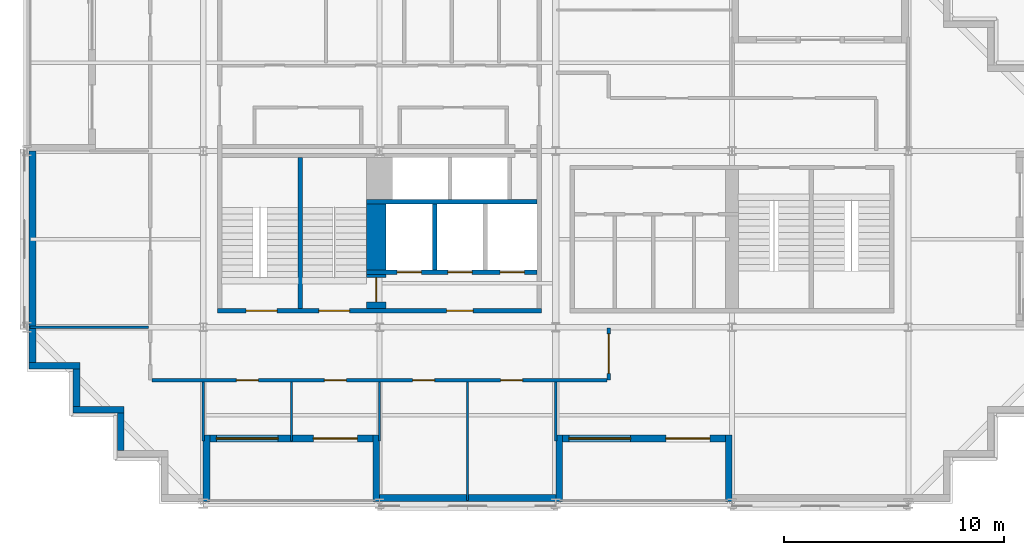
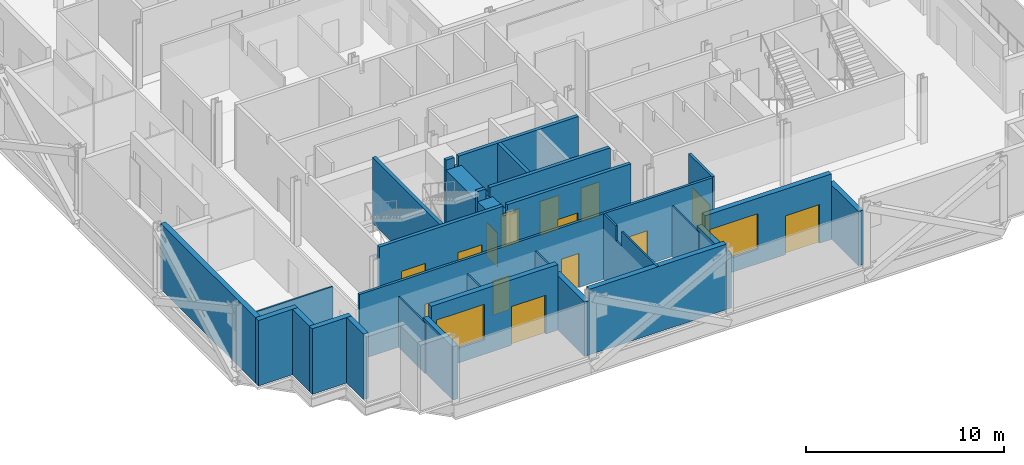
# One storey, part 4 of 12: 27 walls, 14 doors, 2 windows, 16 openings.
"""IFC4 building model written with IfcOpenShell, lengths in metres."""

from ifc_helpers import new_model, si_unit, direction, frame, frame_2d, origin, place, context, subcontext, project, spatial, polyline, rectangle, outline, extrude, material, layer, layer_set, type_object, element, fill, save


model = new_model("IFC4")

# Units and contexts
model_context = context("Model", 3, precision=1e-05, world=origin(), true_north=direction((0.0, 1.0)))
body_context = subcontext(model_context, "Body", "Model", "MODEL_VIEW")
ifc_project = project(units=[si_unit("LENGTHUNIT", "METRE"), si_unit("AREAUNIT", "SQUARE_METRE"), si_unit("VOLUMEUNIT", "CUBIC_METRE"), si_unit("PLANEANGLEUNIT", "RADIAN"), si_unit("MASSUNIT", "GRAM", prefix="KILO")], contexts=[model_context])

# Site, building, storey
site_placement = place(None, origin())
site = spatial("IfcSite", under=ifc_project, at=site_placement, CompositionType="ELEMENT")
building_placement = place(site_placement, origin())
building = spatial("IfcBuilding", under=site, at=building_placement, Name="Immortelle Media Tower", CompositionType="ELEMENT")
storey_placement = place(building_placement, frame((0.0, 0.0, 120.0)))
storey = spatial("IfcBuildingStorey", under=building, at=storey_placement, Name="L23", CompositionType="ELEMENT", Elevation=120.0)

# Wall, openings, doors
ifc_material_1 = material(Name="Fire-rated gypsum board", Category="gypsum")
ifc_layer_1 = layer(ifc_material_1, 0.03759765625)
ifc_material_2 = material(Name="Steel ASTM A653 SS Gr 50 stud frame with mineral wool", Category="steel")
ifc_layer_2 = layer(ifc_material_2, 0.125)
ifc_layer_3 = layer(ifc_material_1, 0.03759765625)
ifc_layer_set_1 = layer_set([ifc_layer_1, ifc_layer_2, ifc_layer_3], Name="Steel ASTM A653 SS Gr 50 stud frame with mineral wool")
wall_type_1 = type_object("IfcWallType", Name="Core shaft wall 200", PredefinedType="PARTITIONING", material=ifc_layer_set_1)
wall_1_placement = place(storey_placement, frame((15.39990234375, 10.5, 0.0), z_axis=(0.0, 0.0, 1.0), x_axis=(1.0, 0.0, 0.0)))
wall_1 = element("IfcWall", 1, at=wall_1_placement, inside=storey, type_object=wall_type_1, Name="Core shaft wall SW", PredefinedType="PARTITIONING", context=body_context, shape_type="SweptSolid", body=[
    extrude(outline(polyline([(0.0, 0.0), (7.75, 0.0), (7.75, 4.050048828125), (0.719482421875, 4.050048828125), (0.718505859375, 3.431884765625), (0.4814453125, 3.431884765625), (0.48046875, 4.050048828125), (0.0, 4.050048828125), (0.0, 0.0)])), frame((0.0, 0.10009765625, 0.0), z_axis=(0.0, -1.0, 0.0), x_axis=(1.0, 0.0, 0.0)), (0.0, 0.0, 1.0), 0.199951171875),
])
opening_1_placement = place(wall_1_placement, frame((1.39990234375, 0.0, 0.0)))
opening_1 = element("IfcOpeningElement", 2, at=opening_1_placement, cuts=wall_1, Name="Opening LD", PredefinedType="OPENING", context=body_context, shape_type="SweptSolid", body=[
    extrude(rectangle(XDim=1.10009765625, YDim=2.10009765625, at=frame_2d((0.550048828125, 1.050048828125))), frame((0.0, 0.10986328125, 0.0), z_axis=(0.0, -1.0, 0.0), x_axis=(1.0, 0.0, 0.0)), (0.0, 0.0, 1.0), 0.219970703125),
])
opening_2_placement = place(wall_1_placement, frame((3.699951171875, 0.0, 0.0)))
opening_2 = element("IfcOpeningElement", 3, at=opening_2_placement, cuts=wall_1, Name="Opening LD", PredefinedType="OPENING", context=body_context, shape_type="SweptSolid", body=[
    extrude(rectangle(XDim=1.10009765625, YDim=2.10009765625, at=frame_2d((0.550048828125, 1.050048828125))), frame((0.0, 0.10986328125, 0.0), z_axis=(0.0, -1.0, 0.0), x_axis=(1.0, 0.0, 0.0)), (0.0, 0.0, 1.0), 0.219970703125),
])
opening_3_placement = place(wall_1_placement, frame((6.074951171875, 0.0, 0.0)))
opening_3 = element("IfcOpeningElement", 4, at=opening_3_placement, cuts=wall_1, Name="Opening LD", PredefinedType="OPENING", context=body_context, shape_type="SweptSolid", body=[
    extrude(rectangle(XDim=1.10009765625, YDim=2.10009765625, at=frame_2d((0.550048828125, 1.050048828125))), frame((0.0, 0.10986328125, 0.0), z_axis=(0.0, -1.0, 0.0), x_axis=(1.0, 0.0, 0.0)), (0.0, 0.0, 1.0), 0.219970703125),
])
ifc_material_3 = material(Name="Stainless steel AISI 304", Category="steel")
door_type_1 = type_object("IfcDoorType", Name="Landing door 1100 x 2100", OperationType="SLIDING_TO_LEFT", PredefinedType="NOTDEFINED", material=ifc_material_3)
door_1_placement = place(opening_1_placement, origin())
door_1 = element("IfcDoor", 5, at=door_1_placement, inside=storey, type_object=door_type_1, Name="Landing door FF1 L23", OperationType="SLIDING_TO_LEFT", OverallHeight=2.10009765625, OverallWidth=1.10009765625, PredefinedType="NOTDEFINED", context=body_context, shape_type="SweptSolid", body=[
    extrude(rectangle(XDim=1.10009765625, YDim=2.10009765625, at=frame_2d((0.550048828125, 1.050048828125))), frame((0.0, 0.02490234375, 0.0), z_axis=(0.0, -1.0, 0.0), x_axis=(1.0, 0.0, 0.0)), (0.0, 0.0, 1.0), 0.050048828125),
])
fill(opening_1, door_1)
door_2_placement = place(opening_2_placement, origin())
door_2 = element("IfcDoor", 6, at=door_2_placement, inside=storey, type_object=door_type_1, Name="Landing door FF2 L23", OperationType="SLIDING_TO_LEFT", OverallHeight=2.10009765625, OverallWidth=1.10009765625, PredefinedType="NOTDEFINED", context=body_context, shape_type="SweptSolid", body=[
    extrude(rectangle(XDim=1.10009765625, YDim=2.10009765625, at=frame_2d((0.550048828125, 1.050048828125))), frame((0.0, 0.02490234375, 0.0), z_axis=(0.0, -1.0, 0.0), x_axis=(1.0, 0.0, 0.0)), (0.0, 0.0, 1.0), 0.050048828125),
])
fill(opening_2, door_2)
door_3_placement = place(opening_3_placement, origin())
door_3 = element("IfcDoor", 7, at=door_3_placement, inside=storey, type_object=door_type_1, Name="Landing door FF3 L23", OperationType="SLIDING_TO_LEFT", OverallHeight=2.10009765625, OverallWidth=1.10009765625, PredefinedType="NOTDEFINED", context=body_context, shape_type="SweptSolid", body=[
    extrude(rectangle(XDim=1.10009765625, YDim=2.10009765625, at=frame_2d((0.550048828125, 1.050048828125))), frame((0.0, 0.02490234375, 0.0), z_axis=(0.0, -1.0, 0.0), x_axis=(1.0, 0.0, 0.0)), (0.0, 0.0, 1.0), 0.050048828125),
])
fill(opening_3, door_3)

# Walls
wall_2_placement = place(storey_placement, frame((15.39990234375, 13.699951171875, 0.0), z_axis=(0.0, 0.0, 1.0), x_axis=(1.0, 0.0, 0.0)))
element("IfcWall", 8, at=wall_2_placement, inside=storey, type_object=wall_type_1, Name="Core shaft wall SW", PredefinedType="PARTITIONING", context=body_context, shape_type="SweptSolid", body=[
    extrude(outline(polyline([(0.0, 0.0), (7.75, 0.0), (7.75, 4.050048828125), (0.719482421875, 4.050048828125), (0.718505859375, 3.431884765625), (0.4814453125, 3.431884765625), (0.48046875, 4.050048828125), (0.0, 4.050048828125), (0.0, 0.0)])), frame((0.0, 0.10009765625, 0.0), z_axis=(0.0, -1.0, 0.0), x_axis=(1.0, 0.0, 0.0)), (0.0, 0.0, 1.0), 0.199951171875),
])
wall_3_placement = place(storey_placement, frame((18.5, 10.60009765625, 0.0), z_axis=(0.0, 0.0, 1.0), x_axis=(0.0, 1.0, 0.0)))
element("IfcWall", 9, at=wall_3_placement, inside=storey, type_object=wall_type_1, Name="Core shaft wall SW", PredefinedType="PARTITIONING", context=body_context, shape_type="SweptSolid", body=[
    extrude(rectangle(XDim=3.0, YDim=0.199951171875, at=frame_2d((1.5, 0.0))), origin(), (0.0, 0.0, 1.0), 4.050048828125),
])

# Wall, openings, doors
ifc_layer_4 = layer(ifc_material_1, 0.012451171875)
ifc_layer_5 = layer(ifc_material_2, 0.125)
ifc_layer_6 = layer(ifc_material_1, 0.012451171875)
ifc_layer_set_2 = layer_set([ifc_layer_4, ifc_layer_5, ifc_layer_6], Name="Steel ASTM A653 SS Gr 50 stud frame with mineral wool")
wall_type_2 = type_object("IfcWallType", Name="Corridor wall 150", PredefinedType="PARTITIONING", material=ifc_layer_set_2)
wall_4_placement = place(storey_placement, frame((5.675048828125, 5.60009765625, 0.0), z_axis=(0.0, 0.0, 1.0), x_axis=(1.0, 0.0, 0.0)))
wall_4 = element("IfcWall", 10, at=wall_4_placement, inside=storey, type_object=wall_type_2, Name="Partition L23-006", PredefinedType="PARTITIONING", context=body_context, shape_type="SweptSolid", body=[
    extrude(rectangle(XDim=20.64990234375, YDim=0.14990234375, at=frame_2d((10.324951171875, 0.0))), origin(), (0.0, 0.0, 1.0), 4.050048828125),
])
opening_4_placement = place(wall_4_placement, frame((12.824951171875, 0.0, 0.0), z_axis=(0.0, 0.0, 1.0), x_axis=(-1.0, 0.0, 0.0)))
opening_4 = element("IfcOpeningElement", 11, at=opening_4_placement, cuts=wall_4, Name="Opening C1-F001", PredefinedType="OPENING", context=body_context, shape_type="SweptSolid", body=[
    extrude(rectangle(XDim=1.0, YDim=2.10009765625, at=frame_2d((0.5, 1.050048828125))), frame((0.0, 0.0849609375, 0.0), z_axis=(0.0, -1.0, 0.0), x_axis=(1.0, 0.0, 0.0)), (0.0, 0.0, 1.0), 0.169921875),
])
opening_5_placement = place(wall_4_placement, frame((16.824951171875, 0.0, 0.0), z_axis=(0.0, 0.0, 1.0), x_axis=(-1.0, 0.0, 0.0)))
opening_5 = element("IfcOpeningElement", 12, at=opening_5_placement, cuts=wall_4, Name="Opening C1-F002", PredefinedType="OPENING", context=body_context, shape_type="SweptSolid", body=[
    extrude(rectangle(XDim=1.0, YDim=2.10009765625, at=frame_2d((0.5, 1.050048828125))), frame((0.0, 0.0849609375, 0.0), z_axis=(0.0, -1.0, 0.0), x_axis=(1.0, 0.0, 0.0)), (0.0, 0.0, 1.0), 0.169921875),
])
opening_6_placement = place(wall_4_placement, frame((4.824951171875, 0.0, 0.0), z_axis=(0.0, 0.0, 1.0), x_axis=(-1.0, 0.0, 0.0)))
opening_6 = element("IfcOpeningElement", 13, at=opening_6_placement, cuts=wall_4, Name="Opening C1-F003", PredefinedType="OPENING", context=body_context, shape_type="SweptSolid", body=[
    extrude(rectangle(XDim=1.0, YDim=2.10009765625, at=frame_2d((0.5, 1.050048828125))), frame((0.0, 0.0849609375, 0.0), z_axis=(0.0, -1.0, 0.0), x_axis=(1.0, 0.0, 0.0)), (0.0, 0.0, 1.0), 0.169921875),
])
opening_7_placement = place(wall_4_placement, frame((8.824951171875, 0.0, 0.0), z_axis=(0.0, 0.0, 1.0), x_axis=(-1.0, 0.0, 0.0)))
opening_7 = element("IfcOpeningElement", 14, at=opening_7_placement, cuts=wall_4, Name="Opening C1-F004", PredefinedType="OPENING", context=body_context, shape_type="SweptSolid", body=[
    extrude(rectangle(XDim=1.0, YDim=2.10009765625, at=frame_2d((0.5, 1.050048828125))), frame((0.0, 0.0849609375, 0.0), z_axis=(0.0, -1.0, 0.0), x_axis=(1.0, 0.0, 0.0)), (0.0, 0.0, 1.0), 0.169921875),
])
ifc_material_4 = material(Name="Timber veneered door leaf, galvanised steel frame ASTM A653", Category="steel")
door_type_2 = type_object("IfcDoorType", Name="Room door 1000 x 2100", OperationType="NOTDEFINED", PredefinedType="DOOR", material=ifc_material_4)
door_4_placement = place(opening_4_placement, origin())
door_4 = element("IfcDoor", 15, at=door_4_placement, inside=storey, type_object=door_type_2, Name="Door C1-F001", OperationType="SINGLE_SWING_LEFT", OverallHeight=2.10009765625, OverallWidth=1.0, PredefinedType="DOOR", context=body_context, shape_type="SweptSolid", body=[
    extrude(rectangle(XDim=1.0, YDim=2.10009765625, at=frame_2d((0.5, 1.050048828125))), frame((0.0, 0.02490234375, 0.0), z_axis=(0.0, -1.0, 0.0), x_axis=(1.0, 0.0, 0.0)), (0.0, 0.0, 1.0), 0.050048828125),
])
fill(opening_4, door_4)
door_5_placement = place(opening_5_placement, origin())
door_5 = element("IfcDoor", 16, at=door_5_placement, inside=storey, type_object=door_type_2, Name="Door C1-F002", OperationType="SINGLE_SWING_LEFT", OverallHeight=2.10009765625, OverallWidth=1.0, PredefinedType="DOOR", context=body_context, shape_type="SweptSolid", body=[
    extrude(rectangle(XDim=1.0, YDim=2.10009765625, at=frame_2d((0.5, 1.050048828125))), frame((0.0, 0.02490234375, 0.0), z_axis=(0.0, -1.0, 0.0), x_axis=(1.0, 0.0, 0.0)), (0.0, 0.0, 1.0), 0.050048828125),
])
fill(opening_5, door_5)
door_6_placement = place(opening_6_placement, origin())
door_6 = element("IfcDoor", 17, at=door_6_placement, inside=storey, type_object=door_type_2, Name="Door C1-F003", OperationType="SINGLE_SWING_LEFT", OverallHeight=2.10009765625, OverallWidth=1.0, PredefinedType="DOOR", context=body_context, shape_type="SweptSolid", body=[
    extrude(rectangle(XDim=1.0, YDim=2.10009765625, at=frame_2d((0.5, 1.050048828125))), frame((0.0, 0.02490234375, 0.0), z_axis=(0.0, -1.0, 0.0), x_axis=(1.0, 0.0, 0.0)), (0.0, 0.0, 1.0), 0.050048828125),
])
fill(opening_6, door_6)
door_7_placement = place(opening_7_placement, origin())
door_7 = element("IfcDoor", 18, at=door_7_placement, inside=storey, type_object=door_type_2, Name="Door C1-F004", OperationType="SINGLE_SWING_RIGHT", OverallHeight=2.10009765625, OverallWidth=1.0, PredefinedType="DOOR", context=body_context, shape_type="SweptSolid", body=[
    extrude(rectangle(XDim=1.0, YDim=2.10009765625, at=frame_2d((0.5, 1.050048828125))), frame((0.0, 0.02490234375, 0.0), z_axis=(0.0, -1.0, 0.0), x_axis=(1.0, 0.0, 0.0)), (0.0, 0.0, 1.0), 0.050048828125),
])
fill(opening_7, door_7)

# Wall, opening, door
wall_5_placement = place(storey_placement, frame((26.39990234375, 5.60009765625, 0.0), z_axis=(0.0, 0.0, 1.0), x_axis=(0.0, 1.0, 0.0)))
wall_5 = element("IfcWall", 19, at=wall_5_placement, inside=storey, type_object=wall_type_2, Name="Partition L23-008", PredefinedType="PARTITIONING", context=body_context, shape_type="SweptSolid", body=[
    extrude(rectangle(XDim=2.369873046875, YDim=0.14990234375, at=frame_2d((1.18505859375, 0.0))), origin(), (0.0, 0.0, 1.0), 4.050048828125),
])
opening_8_placement = place(wall_5_placement, frame((0.300048828125, 0.0, 0.0)))
opening_8 = element("IfcOpeningElement", 20, at=opening_8_placement, cuts=wall_5, Name="Opening C1-F006", PredefinedType="OPENING", context=body_context, shape_type="SweptSolid", body=[
    extrude(rectangle(XDim=1.800048828125, YDim=2.10009765625, at=frame_2d((0.89990234375, 1.050048828125))), frame((0.0, 0.0849609375, 0.0), z_axis=(0.0, -1.0, 0.0), x_axis=(1.0, 0.0, 0.0)), (0.0, 0.0, 1.0), 0.169921875),
])
door_type_3 = type_object("IfcDoorType", Name="Room door 1800 x 2100", OperationType="DOUBLE_DOOR_SINGLE_SWING", PredefinedType="DOOR", material=ifc_material_4)
door_8_placement = place(opening_8_placement, origin())
door_8 = element("IfcDoor", 21, at=door_8_placement, inside=storey, type_object=door_type_3, Name="Door C1-F006", OperationType="DOUBLE_DOOR_SINGLE_SWING", OverallHeight=2.10009765625, OverallWidth=1.800048828125, PredefinedType="DOOR", context=body_context, shape_type="SweptSolid", body=[
    extrude(rectangle(XDim=1.800048828125, YDim=2.10009765625, at=frame_2d((0.89990234375, 1.050048828125))), frame((0.0, 0.02490234375, 0.0), z_axis=(0.0, -1.0, 0.0), x_axis=(1.0, 0.0, 0.0)), (0.0, 0.0, 1.0), 0.050048828125),
])
fill(opening_8, door_8)

# Walls
ifc_material_5 = material(Name="Pale aluminium cladding panel", Category="aluminium")
ifc_layer_7 = layer(ifc_material_5, 0.030029296875)
ifc_layer_8 = layer(ifc_material_2, 0.257568359375)
ifc_material_6 = material(Name="Moisture-resistant gypsum board", Category="gypsum")
ifc_layer_9 = layer(ifc_material_6, 0.012451171875)
ifc_layer_set_3 = layer_set([ifc_layer_7, ifc_layer_8, ifc_layer_9], Name="Steel ASTM A653 SS Gr 50 stud frame with mineral wool")
wall_type_3 = type_object("IfcWallType", Name="Facade wall 300", PredefinedType="SOLIDWALL", material=ifc_layer_set_3)
wall_6_placement = place(storey_placement, frame((0.10009765625, 6.25, 0.0), z_axis=(0.0, 0.0, 1.0), x_axis=(1.0, 0.0, 0.0)))
element("IfcWall", 22, at=wall_6_placement, inside=storey, type_object=wall_type_3, Name="Facade wall L23 S0", PredefinedType="SOLIDWALL", context=body_context, shape_type="SweptSolid", body=[
    extrude(rectangle(XDim=2.2998046875, YDim=0.300048828125, at=frame_2d((1.14990234375, 0.0))), origin(), (0.0, 0.0, 1.0), 4.050048828125),
])
wall_7_placement = place(storey_placement, frame((2.25, 6.10009765625, 0.0), z_axis=(0.0, 0.0, 1.0), x_axis=(0.0, -1.0, 0.0)))
element("IfcWall", 23, at=wall_7_placement, inside=storey, type_object=wall_type_3, Name="Facade wall L23 W1", PredefinedType="SOLIDWALL", context=body_context, shape_type="SweptSolid", body=[
    extrude(rectangle(XDim=1.7001953125, YDim=0.300048828125, at=frame_2d((0.85009765625, 0.0))), origin(), (0.0, 0.0, 1.0), 4.050048828125),
])
wall_8_placement = place(storey_placement, frame((2.10009765625, 4.25, 0.0), z_axis=(0.0, 0.0, 1.0), x_axis=(1.0, 0.0, 0.0)))
element("IfcWall", 24, at=wall_8_placement, inside=storey, type_object=wall_type_3, Name="Facade wall L23 S2", PredefinedType="SOLIDWALL", context=body_context, shape_type="SweptSolid", body=[
    extrude(rectangle(XDim=2.2998046875, YDim=0.300048828125, at=frame_2d((1.14990234375, 0.0))), origin(), (0.0, 0.0, 1.0), 4.050048828125),
])
wall_9_placement = place(storey_placement, frame((4.25, 4.10009765625, 0.0), z_axis=(0.0, 0.0, 1.0), x_axis=(0.0, -1.0, 0.0)))
element("IfcWall", 25, at=wall_9_placement, inside=storey, type_object=wall_type_3, Name="Facade wall L23 W3", PredefinedType="SOLIDWALL", context=body_context, shape_type="SweptSolid", body=[
    extrude(rectangle(XDim=1.7001953125, YDim=0.300048828125, at=frame_2d((0.85009765625, 0.0))), origin(), (0.0, 0.0, 1.0), 4.050048828125),
])

# Wall, openings, door, window
wall_10_placement = place(storey_placement, frame((8.300048828125, 2.949951171875, 0.0), z_axis=(0.0, 0.0, 1.0), x_axis=(1.0, 0.0, 0.0)))
wall_10 = element("IfcWall", 26, at=wall_10_placement, inside=storey, type_object=wall_type_3, Name="Loggia wall L23 S6", PredefinedType="SOLIDWALL", context=body_context, shape_type="SweptSolid", body=[
    extrude(rectangle(XDim=7.39990234375, YDim=0.300048828125, at=frame_2d((3.699951171875, 0.0))), origin(), (0.0, 0.0, 1.0), 4.050048828125),
])
opening_9_placement = place(wall_10_placement, frame((0.300048828125, 0.0, 0.89990234375)))
opening_9 = element("IfcOpeningElement", 27, at=opening_9_placement, cuts=wall_10, Name="Opening W1", PredefinedType="OPENING", context=body_context, shape_type="SweptSolid", body=[
    extrude(rectangle(XDim=2.800048828125, YDim=2.199951171875, at=frame_2d((1.39990234375, 1.10009765625))), frame((0.0, 0.159912109375, 0.0), z_axis=(0.0, -1.0, 0.0), x_axis=(1.0, 0.0, 0.0)), (0.0, 0.0, 1.0), 0.320068359375),
])
opening_10_placement = place(wall_10_placement, frame((4.699951171875, 0.0, 0.0)))
opening_10 = element("IfcOpeningElement", 28, at=opening_10_placement, cuts=wall_10, Name="Opening C1-E001", PredefinedType="OPENING", context=body_context, shape_type="SweptSolid", body=[
    extrude(rectangle(XDim=2.0, YDim=2.39990234375, at=frame_2d((1.0, 1.199951171875))), frame((0.0, 0.159912109375, 0.0), z_axis=(0.0, -1.0, 0.0), x_axis=(1.0, 0.0, 0.0)), (0.0, 0.0, 1.0), 0.320068359375),
])
ifc_material_7 = material(Name="Aluminium frame, glazed leaves", Category="aluminium")
door_type_4 = type_object("IfcDoorType", Name="Loggia door 2000 x 2400", OperationType="DOUBLE_DOOR_SINGLE_SWING", PredefinedType="DOOR", material=ifc_material_7)
door_9_placement = place(opening_10_placement, origin())
door_9 = element("IfcDoor", 29, at=door_9_placement, inside=storey, type_object=door_type_4, Name="Door C1-E001", OperationType="DOUBLE_DOOR_SINGLE_SWING", OverallHeight=2.39990234375, OverallWidth=2.0, PredefinedType="DOOR", context=body_context, shape_type="SweptSolid", body=[
    extrude(rectangle(XDim=2.0, YDim=2.39990234375, at=frame_2d((1.0, 1.199951171875))), frame((0.0, 0.02490234375, 0.0), z_axis=(0.0, -1.0, 0.0), x_axis=(1.0, 0.0, 0.0)), (0.0, 0.0, 1.0), 0.050048828125),
])
fill(opening_10, door_9)
ifc_material_8 = material(Name="Aluminium frame", Category="aluminium")
window_type = type_object("IfcWindowType", Name="Window 2800 x 2200", PartitioningType="SINGLE_PANEL", PredefinedType="WINDOW", material=ifc_material_8)
window_1_placement = place(opening_9_placement, origin())
window_1 = element("IfcWindow", 30, at=window_1_placement, inside=storey, type_object=window_type, Name="Window L23 L23-R6-B0", OverallHeight=2.199951171875, OverallWidth=2.800048828125, PartitioningType="SINGLE_PANEL", PredefinedType="WINDOW", context=body_context, shape_type="SweptSolid", body=[
    extrude(rectangle(XDim=2.800048828125, YDim=2.199951171875, at=frame_2d((1.39990234375, 1.10009765625))), frame((0.0, 0.030029296875, 0.0), z_axis=(0.0, -1.0, 0.0), x_axis=(1.0, 0.0, 0.0)), (0.0, 0.0, 1.0), 0.06005859375),
])
fill(opening_9, window_1)

# Walls
wall_11_placement = place(storey_placement, frame((8.14990234375, 0.10009765625, 0.0), z_axis=(0.0, 0.0, 1.0), x_axis=(0.0, 1.0, 0.0)))
element("IfcWall", 31, at=wall_11_placement, inside=storey, type_object=wall_type_3, Name="Loggia cheek wall L23 S", PredefinedType="SOLIDWALL", context=body_context, shape_type="SweptSolid", body=[
    extrude(rectangle(XDim=3.0, YDim=0.300048828125, at=frame_2d((1.5, 0.0))), origin(), (0.0, 0.0, 1.0), 3.287109375),
])
wall_12_placement = place(storey_placement, frame((15.85009765625, 0.10009765625, 0.0), z_axis=(0.0, 0.0, 1.0), x_axis=(0.0, 1.0, 0.0)))
element("IfcWall", 32, at=wall_12_placement, inside=storey, type_object=wall_type_3, Name="Loggia cheek wall L23 S", PredefinedType="SOLIDWALL", context=body_context, shape_type="SweptSolid", body=[
    extrude(rectangle(XDim=3.0, YDim=0.300048828125, at=frame_2d((1.5, 0.0))), origin(), (0.0, 0.0, 1.0), 3.35595703125),
])
wall_13_placement = place(storey_placement, frame((16.0, 0.25, 0.0), z_axis=(0.0, 0.0, 1.0), x_axis=(1.0, 0.0, 0.0)))
element("IfcWall", 33, at=wall_13_placement, inside=storey, type_object=wall_type_3, Name="Facade wall L23 S6", PredefinedType="SOLIDWALL", context=body_context, shape_type="SweptSolid", body=[
    extrude(rectangle(XDim=8.0, YDim=0.300048828125, at=frame_2d((4.0, 0.0))), origin(), (0.0, 0.0, 1.0), 4.050048828125),
])

# Wall, openings, door, window
wall_14_placement = place(storey_placement, frame((24.300048828125, 2.949951171875, 0.0), z_axis=(0.0, 0.0, 1.0), x_axis=(1.0, 0.0, 0.0)))
wall_14 = element("IfcWall", 34, at=wall_14_placement, inside=storey, type_object=wall_type_3, Name="Loggia wall L23 S6", PredefinedType="SOLIDWALL", context=body_context, shape_type="SweptSolid", body=[
    extrude(rectangle(XDim=7.39990234375, YDim=0.300048828125, at=frame_2d((3.699951171875, 0.0))), origin(), (0.0, 0.0, 1.0), 4.050048828125),
])
opening_11_placement = place(wall_14_placement, frame((0.300048828125, 0.0, 0.89990234375)))
opening_11 = element("IfcOpeningElement", 35, at=opening_11_placement, cuts=wall_14, Name="Opening W1", PredefinedType="OPENING", context=body_context, shape_type="SweptSolid", body=[
    extrude(rectangle(XDim=2.800048828125, YDim=2.199951171875, at=frame_2d((1.39990234375, 1.10009765625))), frame((0.0, 0.159912109375, 0.0), z_axis=(0.0, -1.0, 0.0), x_axis=(1.0, 0.0, 0.0)), (0.0, 0.0, 1.0), 0.320068359375),
])
opening_12_placement = place(wall_14_placement, frame((4.699951171875, 0.0, 0.0)))
opening_12 = element("IfcOpeningElement", 36, at=opening_12_placement, cuts=wall_14, Name="Opening C1-E002", PredefinedType="OPENING", context=body_context, shape_type="SweptSolid", body=[
    extrude(rectangle(XDim=2.0, YDim=2.39990234375, at=frame_2d((1.0, 1.199951171875))), frame((0.0, 0.159912109375, 0.0), z_axis=(0.0, -1.0, 0.0), x_axis=(1.0, 0.0, 0.0)), (0.0, 0.0, 1.0), 0.320068359375),
])
door_10_placement = place(opening_12_placement, origin())
door_10 = element("IfcDoor", 37, at=door_10_placement, inside=storey, type_object=door_type_4, Name="Door C1-E002", OperationType="DOUBLE_DOOR_SINGLE_SWING", OverallHeight=2.39990234375, OverallWidth=2.0, PredefinedType="DOOR", context=body_context, shape_type="SweptSolid", body=[
    extrude(rectangle(XDim=2.0, YDim=2.39990234375, at=frame_2d((1.0, 1.199951171875))), frame((0.0, 0.02490234375, 0.0), z_axis=(0.0, -1.0, 0.0), x_axis=(1.0, 0.0, 0.0)), (0.0, 0.0, 1.0), 0.050048828125),
])
fill(opening_12, door_10)
window_2_placement = place(opening_11_placement, origin())
window_2 = element("IfcWindow", 38, at=window_2_placement, inside=storey, type_object=window_type, Name="Window L23 L23-R6-B2", OverallHeight=2.199951171875, OverallWidth=2.800048828125, PartitioningType="SINGLE_PANEL", PredefinedType="WINDOW", context=body_context, shape_type="SweptSolid", body=[
    extrude(rectangle(XDim=2.800048828125, YDim=2.199951171875, at=frame_2d((1.39990234375, 1.10009765625))), frame((0.0, 0.030029296875, 0.0), z_axis=(0.0, -1.0, 0.0), x_axis=(1.0, 0.0, 0.0)), (0.0, 0.0, 1.0), 0.06005859375),
])
fill(opening_11, window_2)

# Walls
for number, where, z_axis, x_axis, name in (
    (39, (24.14990234375, 0.10009765625, 0.0), (0.0, 0.0, 1.0), (0.0, 1.0, 0.0), "Loggia cheek wall L23 S"),
    (40, (31.85009765625, 0.10009765625, 0.0), (0.0, 0.0, 1.0), (0.0, 1.0, 0.0), "Loggia cheek wall L23 S"),
):
    element("IfcWall", number, at=place(storey_placement, frame(where, z_axis=z_axis, x_axis=x_axis)), inside=storey, type_object=wall_type_3, Name=name, PredefinedType="SOLIDWALL", context=body_context, shape_type="SweptSolid", body=[
        extrude(rectangle(XDim=3.0, YDim=0.300048828125, at=frame_2d((1.5, 0.0))), origin(), (0.0, 0.0, 1.0), 3.35595703125),
    ])
wall_15_placement = place(storey_placement, frame((0.25, 16.0, 0.0), z_axis=(0.0, 0.0, 1.0), x_axis=(0.0, -1.0, 0.0)))
element("IfcWall", 41, at=wall_15_placement, inside=storey, type_object=wall_type_3, Name="Facade wall L23 W35", PredefinedType="SOLIDWALL", context=body_context, shape_type="SweptSolid", body=[
    extrude(rectangle(XDim=9.60009765625, YDim=0.300048828125, at=frame_2d((4.800048828125, 0.0))), origin(), (0.0, 0.0, 1.0), 4.050048828125),
])
ifc_material_9 = material(Name="Gypsum board", Category="gypsum")
ifc_layer_10 = layer(ifc_material_9, 0.012451171875)
ifc_layer_11 = layer(ifc_material_2, 0.074951171875)
ifc_layer_12 = layer(ifc_material_9, 0.012451171875)
ifc_layer_set_4 = layer_set([ifc_layer_10, ifc_layer_11, ifc_layer_12], Name="Steel ASTM A653 SS Gr 50 stud frame with mineral wool")
wall_type_4 = type_object("IfcWallType", Name="Partition 100", PredefinedType="PARTITIONING", material=ifc_layer_set_4)
wall_16_placement = place(storey_placement, frame((20.0, 0.1298828125, 0.0), z_axis=(0.0, 0.0, 1.0), x_axis=(0.0, 1.0, 0.0)))
element("IfcWall", 42, at=wall_16_placement, inside=storey, type_object=wall_type_4, Name="Partition L23-001", PredefinedType="PARTITIONING", context=body_context, shape_type="SweptSolid", body=[
    extrude(outline(polyline([(0.0, 0.0), (5.39501953125, 0.0), (5.39501953125, 4.050048828125), (4.169921875, 4.050048828125), (4.16796875, 3.123046875), (3.572021484375, 3.123046875), (3.570068359375, 4.050048828125), (0.0, 4.050048828125), (0.0, 0.0)])), frame((0.0, 0.050048828125, 0.0), z_axis=(0.0, -1.0, 0.0), x_axis=(1.0, 0.0, 0.0)), (0.0, 0.0, 1.0), 0.10009765625),
])
for number, where, z_axis, x_axis, name in (
    (43, (8.0, 2.830078125, 0.0), (0.0, 0.0, 1.0), (0.0, 1.0, 0.0), "Partition L23-002"),
    (44, (12.0, 2.830078125, 0.0), (0.0, 0.0, 1.0), (0.0, 1.0, 0.0), "Partition L23-003"),
    (45, (16.0, 2.830078125, 0.0), (0.0, 0.0, 1.0), (0.0, 1.0, 0.0), "Partition L23-004"),
    (46, (24.0, 2.830078125, 0.0), (0.0, 0.0, 1.0), (0.0, 1.0, 0.0), "Partition L23-005"),
):
    element("IfcWall", number, at=place(storey_placement, frame(where, z_axis=z_axis, x_axis=x_axis)), inside=storey, type_object=wall_type_4, Name=name, PredefinedType="PARTITIONING", context=body_context, shape_type="SweptSolid", body=[
        extrude(rectangle(XDim=2.69482421875, YDim=0.10009765625, at=frame_2d((1.347412109375, 0.0))), origin(), (0.0, 0.0, 1.0), 3.123046875),
    ])
wall_17_placement = place(storey_placement, frame((0.1298828125, 8.0, 0.0), z_axis=(0.0, 0.0, 1.0), x_axis=(1.0, 0.0, 0.0)))
element("IfcWall", 47, at=wall_17_placement, inside=storey, type_object=wall_type_4, Name="Partition L23-009", PredefinedType="PARTITIONING", context=body_context, shape_type="SweptSolid", body=[
    extrude(rectangle(XDim=5.39501953125, YDim=0.10009765625, at=frame_2d((2.697509765625, 0.0))), origin(), (0.0, 0.0, 1.0), 3.123046875),
])

# Wall, openings, doors
ifc_material_10 = material(Name="Concrete C60", Category="concrete")
ifc_layer_13 = layer(ifc_material_10, 0.199951171875)
ifc_layer_set_5 = layer_set([ifc_layer_13], Name="Concrete C60")
wall_type_5 = type_object("IfcWallType", Name="Stair shaft wall 200", PredefinedType="PARTITIONING", material=ifc_layer_set_5)
wall_18_placement = place(storey_placement, frame((8.64990234375, 8.75, 0.0), z_axis=(0.0, 0.0, 1.0), x_axis=(1.0, 0.0, 0.0)))
wall_18 = element("IfcWall", 48, at=wall_18_placement, inside=storey, type_object=wall_type_5, Name="Stair shaft wall SW", PredefinedType="PARTITIONING", context=body_context, shape_type="SweptSolid", body=[
    extrude(outline(polyline([(0.0, 0.0), (14.7001953125, 0.0), (14.699951171875, 4.050048828125), (7.469482421875, 4.050048828125), (7.468505859375, 3.431884765625), (7.2314453125, 3.431884765625), (7.23046875, 4.050048828125), (0.0, 4.050048828125), (0.0, 0.0)])), frame((0.0, 0.10009765625, 0.0), z_axis=(0.0, -1.0, 0.0), x_axis=(1.0, 0.0, 0.0)), (0.0, 0.0, 1.0), 0.199951171875),
])
opening_13_placement = place(wall_18_placement, frame((1.300048828125, 0.0, 0.0)))
opening_13 = element("IfcOpeningElement", 49, at=opening_13_placement, cuts=wall_18, Name="Opening C1-K002", PredefinedType="OPENING", context=body_context, shape_type="SweptSolid", body=[
    extrude(rectangle(XDim=1.39990234375, YDim=2.10009765625, at=frame_2d((0.699951171875, 1.050048828125))), frame((0.0, 0.10986328125, 0.0), z_axis=(0.0, -1.0, 0.0), x_axis=(1.0, 0.0, 0.0)), (0.0, 0.0, 1.0), 0.219970703125),
])
opening_14_placement = place(wall_18_placement, frame((4.60009765625, 0.0, 0.0)))
opening_14 = element("IfcOpeningElement", 50, at=opening_14_placement, cuts=wall_18, Name="Opening C1-K005", PredefinedType="OPENING", context=body_context, shape_type="SweptSolid", body=[
    extrude(rectangle(XDim=1.39990234375, YDim=2.10009765625, at=frame_2d((0.699951171875, 1.050048828125))), frame((0.0, 0.10986328125, 0.0), z_axis=(0.0, -1.0, 0.0), x_axis=(1.0, 0.0, 0.0)), (0.0, 0.0, 1.0), 0.219970703125),
])
opening_15_placement = place(wall_18_placement, frame((10.39990234375, 0.0, 0.0)))
opening_15 = element("IfcOpeningElement", 51, at=opening_15_placement, cuts=wall_18, Name="Opening C1-K011", PredefinedType="OPENING", context=body_context, shape_type="SweptSolid", body=[
    extrude(rectangle(XDim=1.199951171875, YDim=2.10009765625, at=frame_2d((0.60009765625, 1.050048828125))), frame((0.0, 0.10986328125, 0.0), z_axis=(0.0, -1.0, 0.0), x_axis=(1.0, 0.0, 0.0)), (0.0, 0.0, 1.0), 0.219970703125),
])
ifc_material_11 = material(Name="Galvanised steel door leaf and frame ASTM A653", Category="steel")
door_type_5 = type_object("IfcDoorType", Name="Fire-fighting lobby door 1200 x 2100", OperationType="NOTDEFINED", PredefinedType="NOTDEFINED", material=ifc_material_11)
door_11_placement = place(opening_15_placement, origin())
door_11 = element("IfcDoor", 52, at=door_11_placement, inside=storey, type_object=door_type_5, Name="Fire-fighting lobby C1-K011", OperationType="SINGLE_SWING_LEFT", OverallHeight=2.10009765625, OverallWidth=1.199951171875, PredefinedType="NOTDEFINED", context=body_context, shape_type="SweptSolid", body=[
    extrude(rectangle(XDim=1.199951171875, YDim=2.10009765625, at=frame_2d((0.60009765625, 1.050048828125))), frame((0.0, 0.02490234375, 0.0), z_axis=(0.0, -1.0, 0.0), x_axis=(1.0, 0.0, 0.0)), (0.0, 0.0, 1.0), 0.050048828125),
])
fill(opening_15, door_11)
door_type_6 = type_object("IfcDoorType", Name="Stair door 1400 x 2100", OperationType="DOUBLE_DOOR_SINGLE_SWING", PredefinedType="NOTDEFINED", material=ifc_material_11)
door_12_placement = place(opening_13_placement, origin())
door_12 = element("IfcDoor", 53, at=door_12_placement, inside=storey, type_object=door_type_6, Name="Stair C1-K002", OperationType="DOUBLE_DOOR_SINGLE_SWING", OverallHeight=2.10009765625, OverallWidth=1.39990234375, PredefinedType="NOTDEFINED", context=body_context, shape_type="SweptSolid", body=[
    extrude(rectangle(XDim=1.39990234375, YDim=2.10009765625, at=frame_2d((0.699951171875, 1.050048828125))), frame((0.0, 0.02490234375, 0.0), z_axis=(0.0, -1.0, 0.0), x_axis=(1.0, 0.0, 0.0)), (0.0, 0.0, 1.0), 0.050048828125),
])
fill(opening_13, door_12)
door_13_placement = place(opening_14_placement, origin())
door_13 = element("IfcDoor", 54, at=door_13_placement, inside=storey, type_object=door_type_6, Name="Stair C1-K005", OperationType="DOUBLE_DOOR_SINGLE_SWING", OverallHeight=2.10009765625, OverallWidth=1.39990234375, PredefinedType="NOTDEFINED", context=body_context, shape_type="SweptSolid", body=[
    extrude(rectangle(XDim=1.39990234375, YDim=2.10009765625, at=frame_2d((0.699951171875, 1.050048828125))), frame((0.0, 0.02490234375, 0.0), z_axis=(0.0, -1.0, 0.0), x_axis=(1.0, 0.0, 0.0)), (0.0, 0.0, 1.0), 0.050048828125),
])
fill(opening_14, door_13)

# Wall
wall_19_placement = place(storey_placement, frame((12.39990234375, 8.85009765625, 0.0), z_axis=(0.0, 0.0, 1.0), x_axis=(0.0, 1.0, 0.0)))
element("IfcWall", 55, at=wall_19_placement, inside=storey, type_object=wall_type_5, Name="Stair shaft wall SW", PredefinedType="PARTITIONING", context=body_context, shape_type="SweptSolid", body=[
    extrude(rectangle(XDim=6.849853515625, YDim=0.199951171875, at=frame_2d((3.4248046875, 0.0))), origin(), (0.0, 0.0, 1.0), 4.050048828125),
])

# Wall, opening, door
ifc_layer_14 = layer(ifc_material_10, 0.89990234375)
ifc_layer_set_6 = layer_set([ifc_layer_14], Name="Concrete C60")
wall_type_6 = type_object("IfcWallType", Name="Stair shaft wall 900", PredefinedType="PARTITIONING", material=ifc_layer_set_6)
wall_20_placement = place(storey_placement, frame((15.85009765625, 8.85009765625, 0.0), z_axis=(0.0, 0.0, 1.0), x_axis=(0.0, 1.0, 0.0)))
wall_20 = element("IfcWall", 56, at=wall_20_placement, inside=storey, type_object=wall_type_6, Name="Stair shaft wall SW", PredefinedType="PARTITIONING", context=body_context, shape_type="SweptSolid", body=[
    extrude(rectangle(XDim=1.5498046875, YDim=0.89990234375, at=frame_2d((0.77490234375, 0.0))), origin(), (0.0, 0.0, 1.0), 3.431884765625),
])
opening_16_placement = place(wall_20_placement, frame((0.300048828125, 0.0, 0.0)))
opening_16 = element("IfcOpeningElement", 57, at=opening_16_placement, cuts=wall_20, Name="Opening C1-K007", PredefinedType="OPENING", context=body_context, shape_type="SweptSolid", body=[
    extrude(rectangle(XDim=1.10009765625, YDim=2.10009765625, at=frame_2d((0.550048828125, 1.050048828125))), frame((0.0, 0.4599609375, 0.0), z_axis=(0.0, -1.0, 0.0), x_axis=(1.0, 0.0, 0.0)), (0.0, 0.0, 1.0), 0.919921875),
])
door_type_7 = type_object("IfcDoorType", Name="Stair lobby door 1100 x 2100", OperationType="NOTDEFINED", PredefinedType="NOTDEFINED", material=ifc_material_11)
door_14_placement = place(opening_16_placement, origin())
door_14 = element("IfcDoor", 58, at=door_14_placement, inside=storey, type_object=door_type_7, Name="Stair lobby C1-K007", OperationType="SINGLE_SWING_LEFT", OverallHeight=2.10009765625, OverallWidth=1.10009765625, PredefinedType="NOTDEFINED", context=body_context, shape_type="SweptSolid", body=[
    extrude(rectangle(XDim=1.10009765625, YDim=2.10009765625, at=frame_2d((0.550048828125, 1.050048828125))), frame((0.0, 0.02490234375, 0.0), z_axis=(0.0, -1.0, 0.0), x_axis=(1.0, 0.0, 0.0)), (0.0, 0.0, 1.0), 0.050048828125),
])
fill(opening_16, door_14)

# Wall
wall_21_placement = place(storey_placement, frame((15.85009765625, 10.60009765625, 0.0), z_axis=(0.0, 0.0, 1.0), x_axis=(0.0, 1.0, 0.0)))
element("IfcWall", 59, at=wall_21_placement, inside=storey, type_object=wall_type_6, Name="Stair shaft wall SW", PredefinedType="PARTITIONING", context=body_context, shape_type="SweptSolid", body=[
    extrude(rectangle(XDim=3.0, YDim=0.89990234375, at=frame_2d((1.5, 0.0))), origin(), (0.0, 0.0, 1.0), 3.431884765625),
])

save(model, "model.ifc")
